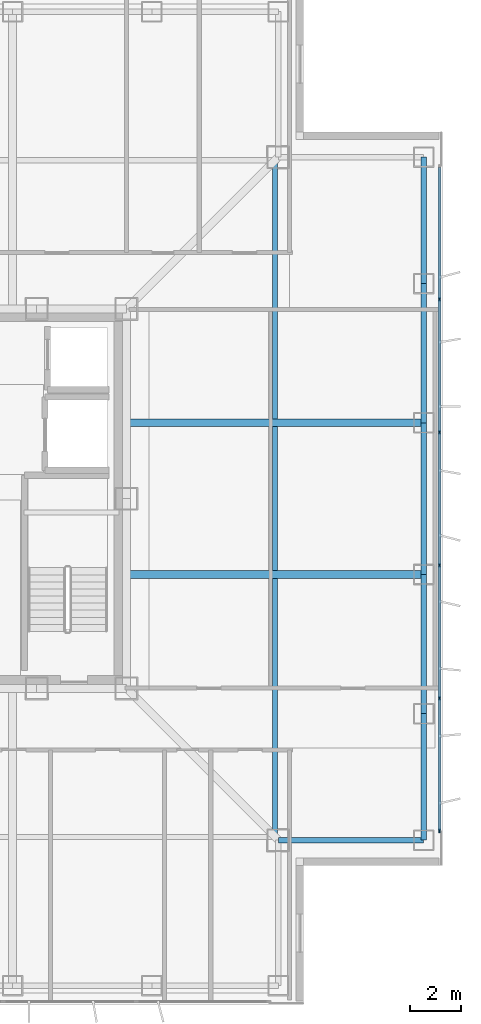
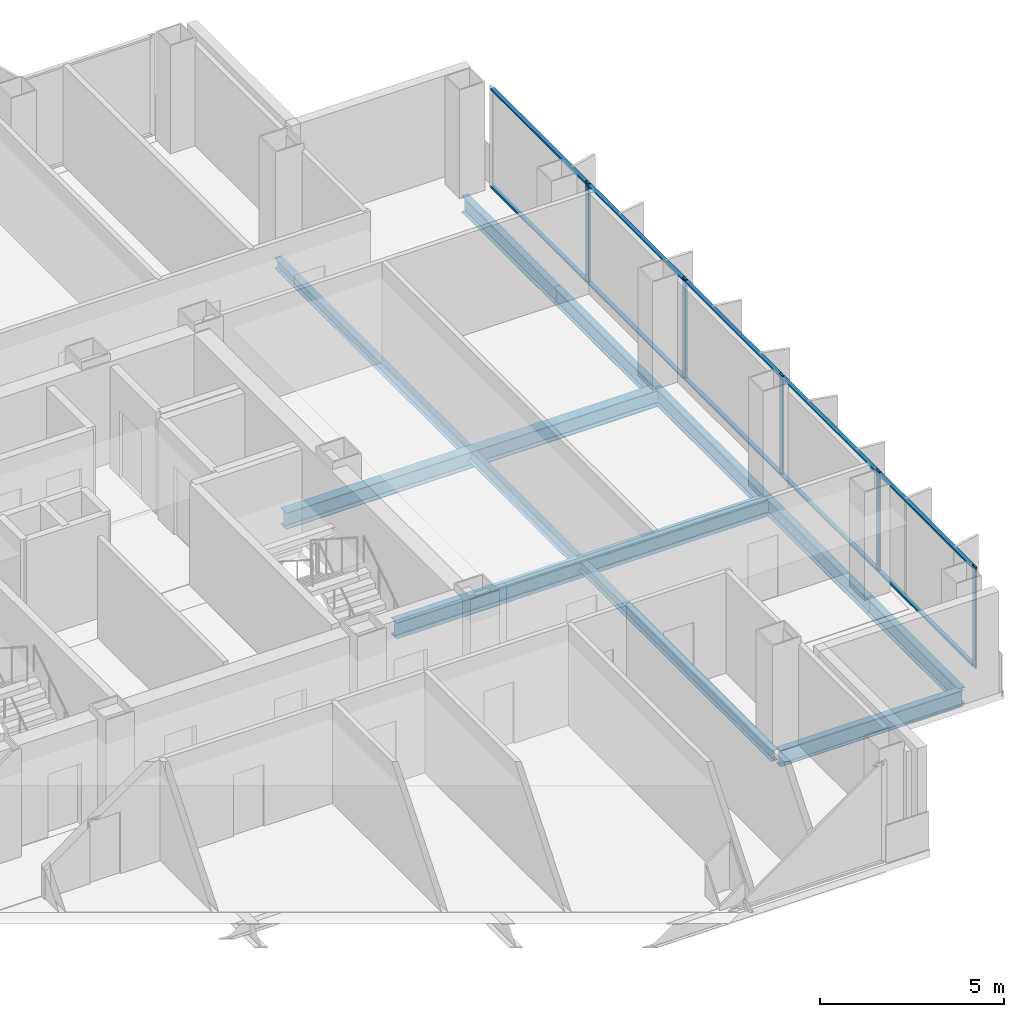
# One storey, part 6 of 18: 15 members, 9 beams, 1 element without a shape of its own.
"""IFC4 building model written with IfcOpenShell, lengths in metres."""

from ifc_helpers import new_model, si_unit, direction, frame, origin, origin_2d, place, context, subcontext, project, spatial, rectangle, i_section, extrude, material, layer, layer_set, material_profile, profile_set, type_object, element, aggregate, save


model = new_model("IFC4")

# Units and contexts
model_context = context("Model", 3, precision=1e-05, world=origin(), true_north=direction((0.0, 1.0)))
body_context = subcontext(model_context, "Body", "Model", "MODEL_VIEW")
ifc_project = project(units=[si_unit("LENGTHUNIT", "METRE"), si_unit("AREAUNIT", "SQUARE_METRE"), si_unit("VOLUMEUNIT", "CUBIC_METRE"), si_unit("PLANEANGLEUNIT", "RADIAN"), si_unit("MASSUNIT", "GRAM", prefix="KILO")], contexts=[model_context])

# Site, building, storey
site_placement = place(None, origin())
site = spatial("IfcSite", under=ifc_project, at=site_placement, CompositionType="ELEMENT")
building_placement = place(site_placement, origin())
building = spatial("IfcBuilding", under=site, at=building_placement, Name="Trevonay Congress Spire", CompositionType="ELEMENT")
storey_placement = place(building_placement, frame((0.0, 0.0, 173.39990234375)))
storey = spatial("IfcBuildingStorey", under=building, at=storey_placement, Name="L44", CompositionType="ELEMENT", Elevation=173.39990234375)

# Beams
ifc_material_1 = material(Name="Steel ASTM A572 Grade 50", Category="steel")
ifc_material_profile_1 = material_profile(ifc_material_1, i_section(OverallWidth=0.31201171875, OverallDepth=0.54296875, WebThickness=0.0126953125, FlangeThickness=0.020263671875, FilletRadius=0.014892578125, at=origin_2d()), Name="W530x150")
ifc_profile_set_1 = profile_set([ifc_material_profile_1], Name="Steel ASTM A572 Grade 50")
beam_type_1 = type_object("IfcBeamType", Name="BM-GIRD-W530X150", PredefinedType="BEAM", material=ifc_profile_set_1)
for number, where, z_axis, x_axis, name in (
    (1, (7.5, -3.0, -0.511474609375), (1.0, 0.0, 0.0), (0.0, 1.0, 0.0), "L44 structural beam BM-L44-GE-M"),
    (2, (7.5, 3.0, -0.511474609375), (1.0, 0.0, 0.0), (0.0, 1.0, 0.0), "L44 structural beam BM-L44-GE-P"),
):
    element("IfcBeam", number, at=place(storey_placement, frame(where, z_axis=z_axis, x_axis=x_axis)), inside=storey, type_object=beam_type_1, Name=name, PredefinedType="BEAM", context=body_context, shape_type="SweptSolid", body=[
        extrude(i_section(OverallWidth=0.31201171875, OverallDepth=0.54296875, WebThickness=0.0126953125, FlangeThickness=0.020263671875, FilletRadius=0.014892578125, at=origin_2d()), origin(), (0.0, 0.0, 1.0), 11.75),
    ])
ifc_material_profile_2 = material_profile(ifc_material_1, i_section(OverallWidth=0.2119140625, OverallDepth=0.5439453125, WebThickness=0.01318359375, FlangeThickness=0.021240234375, FilletRadius=0.014892578125, at=origin_2d()), Name="W530x123")
ifc_profile_set_2 = profile_set([ifc_material_profile_2], Name="Steel ASTM A572 Grade 50")
beam_type_2 = type_object("IfcBeamType", Name="BM-RING-W530X123", PredefinedType="BEAM", material=ifc_profile_set_2)
beam_1_placement = place(storey_placement, frame((19.25, -13.5, -0.511962890625), z_axis=(0.0, 1.0, 0.0), x_axis=(-1.0, 0.0, 0.0)))
element("IfcBeam", 3, at=beam_1_placement, inside=storey, type_object=beam_type_2, Name="L44 structural beam BM-L44-PE1", PredefinedType="BEAM", context=body_context, shape_type="SweptSolid", body=[
    extrude(i_section(OverallWidth=0.2119140625, OverallDepth=0.5439453125, WebThickness=0.01318359375, FlangeThickness=0.021240234375, FilletRadius=0.014892578125, at=origin_2d()), origin(), (0.0, 0.0, 1.0), 5.0),
])
beam_2_placement = place(storey_placement, frame((19.25, -8.5, -0.511962890625), z_axis=(0.0, 1.0, 0.0), x_axis=(-1.0, 0.0, 0.0)))
element("IfcBeam", 4, at=beam_2_placement, inside=storey, type_object=beam_type_2, Name="L44 structural beam BM-L44-PE2", PredefinedType="BEAM", context=body_context, shape_type="SweptSolid", body=[
    extrude(i_section(OverallWidth=0.2119140625, OverallDepth=0.5439453125, WebThickness=0.01318359375, FlangeThickness=0.021240234375, FilletRadius=0.014892578125, at=origin_2d()), origin(), (0.0, 0.0, 1.0), 5.5),
])
beam_3_placement = place(storey_placement, frame((19.25, -3.0, -0.511962890625), z_axis=(0.0, 1.0, 0.0), x_axis=(-1.0, 0.0, 0.0)))
element("IfcBeam", 5, at=beam_3_placement, inside=storey, type_object=beam_type_2, Name="L44 structural beam BM-L44-PE3", PredefinedType="BEAM", context=body_context, shape_type="SweptSolid", body=[
    extrude(i_section(OverallWidth=0.2119140625, OverallDepth=0.5439453125, WebThickness=0.01318359375, FlangeThickness=0.021240234375, FilletRadius=0.014892578125, at=origin_2d()), origin(), (0.0, 0.0, 1.0), 6.0),
])
beam_4_placement = place(storey_placement, frame((19.25, 3.0, -0.511962890625), z_axis=(0.0, 1.0, 0.0), x_axis=(-1.0, 0.0, 0.0)))
element("IfcBeam", 6, at=beam_4_placement, inside=storey, type_object=beam_type_2, Name="L44 structural beam BM-L44-PE4", PredefinedType="BEAM", context=body_context, shape_type="SweptSolid", body=[
    extrude(i_section(OverallWidth=0.2119140625, OverallDepth=0.5439453125, WebThickness=0.01318359375, FlangeThickness=0.021240234375, FilletRadius=0.014892578125, at=origin_2d()), origin(), (0.0, 0.0, 1.0), 5.5),
])
beam_5_placement = place(storey_placement, frame((19.25, 8.5, -0.511962890625), z_axis=(0.0, 1.0, 0.0), x_axis=(-1.0, 0.0, 0.0)))
element("IfcBeam", 7, at=beam_5_placement, inside=storey, type_object=beam_type_2, Name="L44 structural beam BM-L44-PE5", PredefinedType="BEAM", context=body_context, shape_type="SweptSolid", body=[
    extrude(i_section(OverallWidth=0.2119140625, OverallDepth=0.5439453125, WebThickness=0.01318359375, FlangeThickness=0.021240234375, FilletRadius=0.014892578125, at=origin_2d()), origin(), (0.0, 0.0, 1.0), 5.0),
])
beam_6_placement = place(storey_placement, frame((19.25, -13.5, -0.511962890625), z_axis=(-1.0, 0.0, 0.0), x_axis=(0.0, -1.0, 0.0)))
element("IfcBeam", 8, at=beam_6_placement, inside=storey, type_object=beam_type_2, Name="L44 structural beam BM-L44-N2SE", PredefinedType="BEAM", context=body_context, shape_type="SweptSolid", body=[
    extrude(i_section(OverallWidth=0.2119140625, OverallDepth=0.5439453125, WebThickness=0.01318359375, FlangeThickness=0.021240234375, FilletRadius=0.014892578125, at=origin_2d()), origin(), (0.0, 0.0, 1.0), 5.75),
])

# Curtain wall, members
ifc_material_2 = material(Name="Pale Anodised Aluminium EN AW-6063-T6", Category="aluminium")
ifc_layer = layer(ifc_material_2, 0.169921875, Name="Pale Anodised Aluminium EN AW-6063-T6")
ifc_layer_set = layer_set([ifc_layer], Name="Pale Anodised Aluminium EN AW-6063-T6")
curtain_wall_type = type_object("IfcCurtainWallType", Name="CW-SYS04-CORP-PALE-METAL", PredefinedType="NOTDEFINED", material=ifc_layer_set)
curtain_wall_placement = place(storey_placement, origin())
curtain_wall = element("IfcCurtainWall", 9, at=curtain_wall_placement, inside=storey, type_object=curtain_wall_type, Name="L44 E unitised curtain wall", PredefinedType="NOTDEFINED")
ifc_material_profile_3 = material_profile(ifc_material_2, rectangle(XDim=0.06005859375, YDim=0.159912109375, at=origin_2d()), Name="CW-MULLION-160-ALUMINIUM")
ifc_profile_set_3 = profile_set([ifc_material_profile_3], Name="Pale Anodised Aluminium EN AW-6063-T6")
member_type_1 = type_object("IfcMemberType", Name="CW-MULLION-160-ALUMINIUM", PredefinedType="MULLION", material=ifc_profile_set_3)
member_1_placement = place(storey_placement, frame((19.8798828125, -13.1201171875, 0.0), z_axis=(0.0, 0.0, 1.0), x_axis=(-1.0, 0.0, 0.0)))
member_1 = element("IfcMember", 10, at=member_1_placement, type_object=member_type_1, Name="CW04 mullion 1", PredefinedType="MULLION", context=body_context, shape_type="SweptSolid", body=[
    extrude(rectangle(XDim=0.06005859375, YDim=0.159912109375, at=origin_2d()), origin(), (0.0, 0.0, 1.0), 3.360107421875),
])
member_2_placement = place(storey_placement, frame((19.8798828125, -7.889892578125, 0.0), z_axis=(0.0, 0.0, 1.0), x_axis=(-1.0, 0.0, 0.0)))
member_2 = element("IfcMember", 11, at=member_2_placement, type_object=member_type_1, Name="CW04 mullion 2", PredefinedType="MULLION", context=body_context, shape_type="SweptSolid", body=[
    extrude(rectangle(XDim=0.06005859375, YDim=0.159912109375, at=origin_2d()), origin(), (0.0, 0.0, 1.0), 3.360107421875),
])
member_3_placement = place(storey_placement, frame((19.8798828125, -2.6298828125, 0.0), z_axis=(0.0, 0.0, 1.0), x_axis=(-1.0, 0.0, 0.0)))
member_3 = element("IfcMember", 12, at=member_3_placement, type_object=member_type_1, Name="CW04 mullion 3", PredefinedType="MULLION", context=body_context, shape_type="SweptSolid", body=[
    extrude(rectangle(XDim=0.06005859375, YDim=0.159912109375, at=origin_2d()), origin(), (0.0, 0.0, 1.0), 3.360107421875),
])
member_4_placement = place(storey_placement, frame((19.8798828125, 2.6298828125, 0.0), z_axis=(0.0, 0.0, 1.0), x_axis=(-1.0, 0.0, 0.0)))
member_4 = element("IfcMember", 13, at=member_4_placement, type_object=member_type_1, Name="CW04 mullion 4", PredefinedType="MULLION", context=body_context, shape_type="SweptSolid", body=[
    extrude(rectangle(XDim=0.06005859375, YDim=0.159912109375, at=origin_2d()), origin(), (0.0, 0.0, 1.0), 3.360107421875),
])
member_5_placement = place(storey_placement, frame((19.8798828125, 7.889892578125, 0.0), z_axis=(0.0, 0.0, 1.0), x_axis=(-1.0, 0.0, 0.0)))
member_5 = element("IfcMember", 14, at=member_5_placement, type_object=member_type_1, Name="CW04 mullion 5", PredefinedType="MULLION", context=body_context, shape_type="SweptSolid", body=[
    extrude(rectangle(XDim=0.06005859375, YDim=0.159912109375, at=origin_2d()), origin(), (0.0, 0.0, 1.0), 3.360107421875),
])
ifc_material_profile_4 = material_profile(ifc_material_2, rectangle(XDim=0.1201171875, YDim=0.06005859375, at=origin_2d()), Name="CW-TRANSOM-120-ALUMINIUM")
ifc_profile_set_4 = profile_set([ifc_material_profile_4], Name="Pale Anodised Aluminium EN AW-6063-T6")
member_type_2 = type_object("IfcMemberType", Name="CW-TRANSOM-120-ALUMINIUM", PredefinedType="USERDEFINED", material=ifc_profile_set_4)
member_6_placement = place(storey_placement, frame((19.8798828125, -13.090087890625, 0.06005859375), z_axis=(0.0, 1.0, 0.0), x_axis=(-1.0, 0.0, 0.0)))
member_6 = element("IfcMember", 15, at=member_6_placement, type_object=member_type_2, Name="CW04 transom 1.1", ObjectType="TRANSOM", PredefinedType="USERDEFINED", context=body_context, shape_type="SweptSolid", body=[
    extrude(rectangle(XDim=0.1201171875, YDim=0.06005859375, at=origin_2d()), origin(), (0.0, 0.0, 1.0), 5.170166015625),
])
member_7_placement = place(storey_placement, frame((19.8798828125, -13.090087890625, 3.300048828125), z_axis=(0.0, 1.0, 0.0), x_axis=(-1.0, 0.0, 0.0)))
member_7 = element("IfcMember", 16, at=member_7_placement, type_object=member_type_2, Name="CW04 transom 1.2", ObjectType="TRANSOM", PredefinedType="USERDEFINED", context=body_context, shape_type="SweptSolid", body=[
    extrude(rectangle(XDim=0.1201171875, YDim=0.06005859375, at=origin_2d()), origin(), (0.0, 0.0, 1.0), 5.170166015625),
])
member_8_placement = place(storey_placement, frame((19.8798828125, -7.860107421875, 0.06005859375), z_axis=(0.0, 1.0, 0.0), x_axis=(-1.0, 0.0, 0.0)))
member_8 = element("IfcMember", 17, at=member_8_placement, type_object=member_type_2, Name="CW04 transom 2.1", ObjectType="TRANSOM", PredefinedType="USERDEFINED", context=body_context, shape_type="SweptSolid", body=[
    extrude(rectangle(XDim=0.1201171875, YDim=0.06005859375, at=origin_2d()), origin(), (0.0, 0.0, 1.0), 5.2001953125),
])
member_9_placement = place(storey_placement, frame((19.8798828125, -7.860107421875, 3.300048828125), z_axis=(0.0, 1.0, 0.0), x_axis=(-1.0, 0.0, 0.0)))
member_9 = element("IfcMember", 18, at=member_9_placement, type_object=member_type_2, Name="CW04 transom 2.2", ObjectType="TRANSOM", PredefinedType="USERDEFINED", context=body_context, shape_type="SweptSolid", body=[
    extrude(rectangle(XDim=0.1201171875, YDim=0.06005859375, at=origin_2d()), origin(), (0.0, 0.0, 1.0), 5.2001953125),
])
member_10_placement = place(storey_placement, frame((19.8798828125, -2.60009765625, 0.06005859375), z_axis=(0.0, 1.0, 0.0), x_axis=(-1.0, 0.0, 0.0)))
member_10 = element("IfcMember", 19, at=member_10_placement, type_object=member_type_2, Name="CW04 transom 3.1", ObjectType="TRANSOM", PredefinedType="USERDEFINED", context=body_context, shape_type="SweptSolid", body=[
    extrude(rectangle(XDim=0.1201171875, YDim=0.06005859375, at=origin_2d()), origin(), (0.0, 0.0, 1.0), 5.2001953125),
])
member_11_placement = place(storey_placement, frame((19.8798828125, -2.60009765625, 3.300048828125), z_axis=(0.0, 1.0, 0.0), x_axis=(-1.0, 0.0, 0.0)))
member_11 = element("IfcMember", 20, at=member_11_placement, type_object=member_type_2, Name="CW04 transom 3.2", ObjectType="TRANSOM", PredefinedType="USERDEFINED", context=body_context, shape_type="SweptSolid", body=[
    extrude(rectangle(XDim=0.1201171875, YDim=0.06005859375, at=origin_2d()), origin(), (0.0, 0.0, 1.0), 5.2001953125),
])
member_12_placement = place(storey_placement, frame((19.8798828125, 2.659912109375, 0.06005859375), z_axis=(0.0, 1.0, 0.0), x_axis=(-1.0, 0.0, 0.0)))
member_12 = element("IfcMember", 21, at=member_12_placement, type_object=member_type_2, Name="CW04 transom 4.1", ObjectType="TRANSOM", PredefinedType="USERDEFINED", context=body_context, shape_type="SweptSolid", body=[
    extrude(rectangle(XDim=0.1201171875, YDim=0.06005859375, at=origin_2d()), origin(), (0.0, 0.0, 1.0), 5.2001953125),
])
member_13_placement = place(storey_placement, frame((19.8798828125, 2.659912109375, 3.300048828125), z_axis=(0.0, 1.0, 0.0), x_axis=(-1.0, 0.0, 0.0)))
member_13 = element("IfcMember", 22, at=member_13_placement, type_object=member_type_2, Name="CW04 transom 4.2", ObjectType="TRANSOM", PredefinedType="USERDEFINED", context=body_context, shape_type="SweptSolid", body=[
    extrude(rectangle(XDim=0.1201171875, YDim=0.06005859375, at=origin_2d()), origin(), (0.0, 0.0, 1.0), 5.2001953125),
])
member_14_placement = place(storey_placement, frame((19.8798828125, 7.919921875, 0.06005859375), z_axis=(0.0, 1.0, 0.0), x_axis=(-1.0, 0.0, 0.0)))
member_14 = element("IfcMember", 23, at=member_14_placement, type_object=member_type_2, Name="CW04 transom 5.1", ObjectType="TRANSOM", PredefinedType="USERDEFINED", context=body_context, shape_type="SweptSolid", body=[
    extrude(rectangle(XDim=0.1201171875, YDim=0.06005859375, at=origin_2d()), origin(), (0.0, 0.0, 1.0), 5.170166015625),
])
member_15_placement = place(storey_placement, frame((19.8798828125, 7.919921875, 3.300048828125), z_axis=(0.0, 1.0, 0.0), x_axis=(-1.0, 0.0, 0.0)))
member_15 = element("IfcMember", 24, at=member_15_placement, type_object=member_type_2, Name="CW04 transom 5.2", ObjectType="TRANSOM", PredefinedType="USERDEFINED", context=body_context, shape_type="SweptSolid", body=[
    extrude(rectangle(XDim=0.1201171875, YDim=0.06005859375, at=origin_2d()), origin(), (0.0, 0.0, 1.0), 5.170166015625),
])
aggregate(curtain_wall, [member_1, member_2, member_3, member_4, member_5, member_6, member_7, member_8, member_9, member_10, member_11, member_12, member_13, member_14, member_15])

# Beam
ifc_material_profile_5 = material_profile(ifc_material_1, i_section(OverallWidth=0.205078125, OverallDepth=0.35400390625, WebThickness=0.009521484375, FlangeThickness=0.016845703125, FilletRadius=0.011962890625, at=origin_2d()), Name="W360x79")
ifc_profile_set_5 = profile_set([ifc_material_profile_5], Name="Steel ASTM A572 Grade 50")
beam_type_3 = type_object("IfcBeamType", Name="JS-COMP-W360X79", PredefinedType="JOIST", material=ifc_profile_set_5)
beam_7_placement = place(storey_placement, frame((13.375, -13.5, -0.4169921875), z_axis=(0.0, 1.0, 0.0), x_axis=(-1.0, 0.0, 0.0)))
element("IfcBeam", 25, at=beam_7_placement, inside=storey, type_object=beam_type_3, Name="L44 structural beam JS-L44-RING-E", PredefinedType="JOIST", context=body_context, shape_type="SweptSolid", body=[
    extrude(i_section(OverallWidth=0.205078125, OverallDepth=0.35400390625, WebThickness=0.009521484375, FlangeThickness=0.016845703125, FilletRadius=0.011962890625, at=origin_2d()), origin(), (0.0, 0.0, 1.0), 27.0),
])

save(model, "model.ifc")
